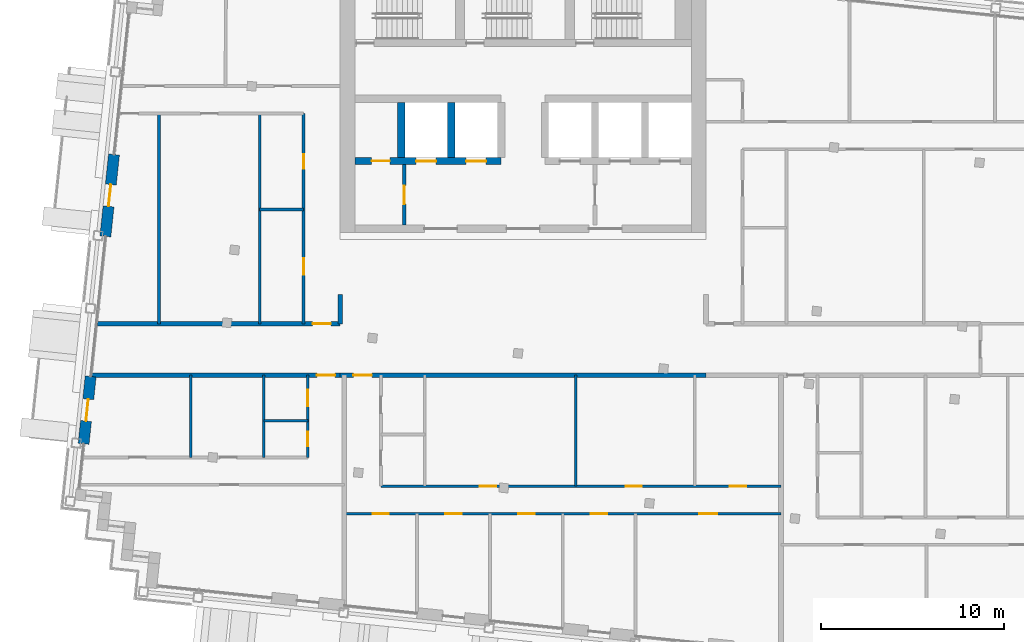
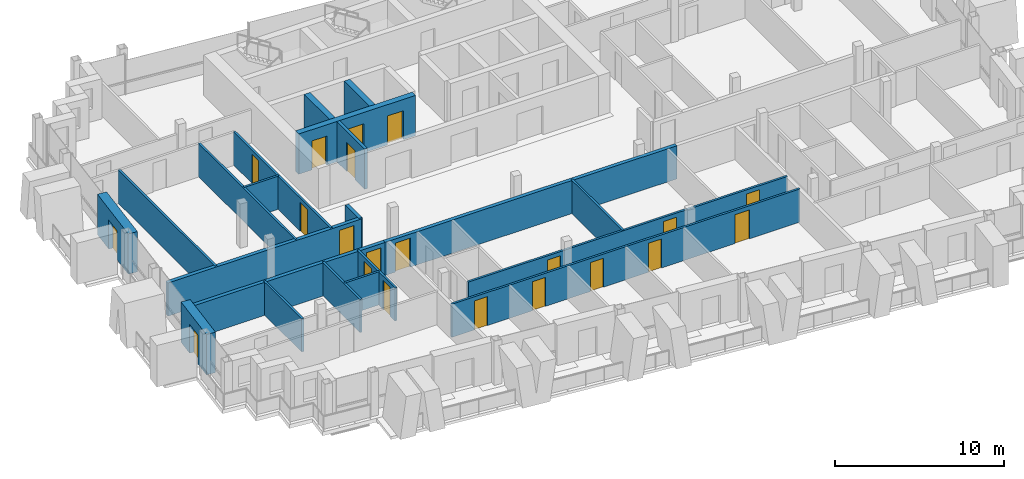
# One storey, part 9 of 16: 21 doors, 21 walls, 21 openings.
"""IFC4 building model written with IfcOpenShell, lengths in metres."""

import ifcopenshell
import ifcopenshell.guid

model = None  # the IFC model being written
_history = None  # IfcOwnerHistory: only IFC2X3 demands one
_inside = {}  # id of a spatial element -> (the spatial element, [elements in it])
_under = {}  # id of a project, library or spatial element -> (it, [spatial elements below it])
_declared = {}  # id of a project -> (the project, [libraries it declares])
_typed = {}  # id of a type object -> (the type object, [elements of that type])
_made_of = {}  # id of a material, layer set ... -> (it, [elements and type objects made of it])


def new_model(schema):
    """Start an empty IFC model of exactly this schema.

    Asked for "IFC4X3", IfcOpenShell would pick the latest addendum, in which some entities
    have other attributes; the version numbers below select the first issue.
    IFC2X3 requires an IfcOwnerHistory on every rooted entity: one is made here for all.
    """
    global model, _history
    if schema == "IFC4X3":
        model = ifcopenshell.file(schema_version=(4, 3, 0, 0))
    else:
        model = ifcopenshell.file(schema=schema)
    _inside.clear()
    _under.clear()
    _declared.clear()
    _typed.clear()
    _made_of.clear()
    _history = None
    if model.schema == "IFC2X3":
        org = make("IfcOrganization", Name="unknown")
        user = make(
            "IfcPersonAndOrganization",
            ThePerson=make("IfcPerson", FamilyName="unknown"),
            TheOrganization=org,
        )
        app = make(
            "IfcApplication",
            ApplicationDeveloper=org,
            Version="unknown",
            ApplicationFullName="unknown",
            ApplicationIdentifier="unknown",
        )
        _history = make(
            "IfcOwnerHistory",
            OwningUser=user,
            OwningApplication=app,
            ChangeAction="ADDED",
            CreationDate=0,
        )
    return model


def make(cls, **values):
    """One entity of the class cls with the attributes given. An attribute that is None is left unset."""
    return model.create_entity(
        cls, **{name: value for name, value in values.items() if value is not None}
    )


def rooted(cls, **values):
    """An entity with a GlobalId (a new one), such as an element, a storey or a relation."""
    return make(cls, GlobalId=ifcopenshell.guid.new(), OwnerHistory=_history, **values)


def si_unit(unit_type, name, prefix=None):
    """IfcSIUnit, for example si_unit("LENGTHUNIT", "METRE", prefix="MILLI")."""
    return make("IfcSIUnit", UnitType=unit_type, Prefix=prefix, Name=name)


def assignment(units):
    """IfcUnitAssignment: the units of a project."""
    return None if units is None else make("IfcUnitAssignment", Units=units)


def point(xyz):
    """IfcCartesianPoint."""
    return None if xyz is None else make("IfcCartesianPoint", Coordinates=xyz)


def direction(xyz):
    """IfcDirection."""
    return None if xyz is None else make("IfcDirection", DirectionRatios=xyz)


def frame(location, z_axis=None, x_axis=None):
    """IfcAxis2Placement3D, a coordinate frame: its origin and axes. An axis left out is left unset."""
    return make(
        "IfcAxis2Placement3D",
        Location=point(location),
        Axis=direction(z_axis),
        RefDirection=direction(x_axis),
    )


def frame_2d(location, x_axis=None):
    """IfcAxis2Placement2D, a coordinate frame in the plane: its origin and x axis."""
    return make(
        "IfcAxis2Placement2D", Location=point(location), RefDirection=direction(x_axis)
    )


def origin():
    """The frame at (0, 0, 0) with its axes left unset."""
    return frame((0.0, 0.0, 0.0))


def place(relative_to, where):
    """IfcLocalPlacement: puts the frame where relative to a parent placement (None: the world)."""
    return make(
        "IfcLocalPlacement", PlacementRelTo=relative_to, RelativePlacement=where
    )


def context(
    kind, dimensions, precision=None, world=None, true_north=None, identifier=None
):
    """IfcGeometricRepresentationContext, for example the 3D "Model" context."""
    return make(
        "IfcGeometricRepresentationContext",
        ContextIdentifier=identifier,
        ContextType=kind,
        CoordinateSpaceDimension=dimensions,
        Precision=precision,
        WorldCoordinateSystem=world,
        TrueNorth=true_north,
    )


def subcontext(parent, identifier, kind, view, scale=None):
    """IfcGeometricRepresentationSubContext, for example "Body" below "Model"."""
    return make(
        "IfcGeometricRepresentationSubContext",
        ContextIdentifier=identifier,
        ContextType=kind,
        ParentContext=parent,
        TargetScale=scale,
        TargetView=view,
    )


def project(units=None, contexts=None):
    """IfcProject with its units and contexts."""
    return rooted(
        "IfcProject",
        Name="project",
        RepresentationContexts=contexts,
        UnitsInContext=assignment(units),
    )


def spatial(cls, under=None, at=None, **own):
    """A site, building, storey or space (cls), placed at a placement, below another one or the project."""
    s = rooted(cls, ObjectPlacement=at, **own)
    if under is not None:
        _under.setdefault(under.id(), (under, []))[1].append(s)
    return s


def profile(cls, at=None, kind="AREA", **sizes):
    """A parametric profile (cls). Its sizes go by their IFC names, for example OverallWidth=200.0."""
    return make(cls, ProfileType=kind, Position=at, **sizes)


def rectangle(**sizes):
    """IfcRectangleProfileDef."""
    return profile("IfcRectangleProfileDef", **sizes)


def extrude(swept, where, along, depth):
    """IfcExtrudedAreaSolid: the profile swept, set in the frame where, extruded along a direction by depth."""
    return make(
        "IfcExtrudedAreaSolid",
        SweptArea=swept,
        Position=where,
        ExtrudedDirection=direction(along),
        Depth=depth,
    )


def shape(context_of_items, identifier, shape_type, items):
    """IfcShapeRepresentation: the items that make up one representation, for example the "Body"."""
    return make(
        "IfcShapeRepresentation",
        ContextOfItems=context_of_items,
        RepresentationIdentifier=identifier,
        RepresentationType=shape_type,
        Items=items,
    )


def material(Name=None, Category=None):
    """IfcMaterial."""
    return make("IfcMaterial", Name=Name, Category=Category)


def layer(
    of_material, thickness, ventilated=None, Name=None, Category=None, Priority=None
):
    """IfcMaterialLayer: one layer of a wall or slab, of a material (None: an air gap)."""
    return make(
        "IfcMaterialLayer",
        Material=of_material,
        LayerThickness=thickness,
        IsVentilated=ventilated,
        Name=Name,
        Category=Category,
        Priority=Priority,
    )


def layer_set(layers, Name=None):
    """IfcMaterialLayerSet."""
    return make("IfcMaterialLayerSet", MaterialLayers=layers, LayerSetName=Name)


def made_of(thing, what):
    """Note that an element or type object is made of a material, layer set ...; save() writes the relation."""
    if what is not None:
        _made_of.setdefault(what.id(), (what, []))[1].append(thing)
    return thing


def type_object(cls, material=None, **own):
    """A type object (cls), such as IfcWallType, which elements share."""
    return made_of(rooted(cls, **own), material)


def element(
    cls,
    number,
    at=None,
    inside=None,
    cuts=None,
    type_object=None,
    material=None,
    context=None,
    identifier="Body",
    shape_type=None,
    held_by="IfcProductDefinitionShape",
    body=None,
    shapes=None,
    **own,
):
    """One element of the class cls, such as IfcWall. Its Tag is "e" and its number.

    at: its placement. inside: the storey or other place that contains it. cuts: it is an
    opening in that element (IfcRelVoidsElement). A single representation is given by context,
    identifier, shape_type and body (its items); several are given by shapes. held_by: the class
    of the entity that holds the representations. save() writes the other relations.
    """
    e = rooted(cls, Tag="e%d" % number, ObjectPlacement=at, **own)
    if body is not None:
        shapes = [shape(context, identifier, shape_type, body)]
    if shapes is not None:
        e.Representation = make(held_by, Representations=shapes)
    if inside is not None:
        _inside.setdefault(inside.id(), (inside, []))[1].append(e)
    if cuts is not None:
        rooted(
            "IfcRelVoidsElement", RelatingBuildingElement=cuts, RelatedOpeningElement=e
        )
    if type_object is not None:
        _typed.setdefault(type_object.id(), (type_object, []))[1].append(e)
    return made_of(e, material)


def fill(opening, filler):
    """IfcRelFillsElement: the door or window that sits in an opening."""
    return rooted(
        "IfcRelFillsElement",
        RelatingOpeningElement=opening,
        RelatedBuildingElement=filler,
    )


def aggregate(whole, parts):
    """IfcRelAggregates: a whole, such as a stair, and the parts it consists of."""
    return rooted("IfcRelAggregates", RelatingObject=whole, RelatedObjects=parts)


def save(model, path):
    """Write the relations noted so far, then the file.

    IfcRelAggregates (storeys below a building ...), IfcRelContainedInSpatialStructure (elements
    in a storey), IfcRelDefinesByType, IfcRelAssociatesMaterial and IfcRelDeclares: one each for
    every whole, place, type object, material and project.
    """
    for whole, parts in _under.values():
        aggregate(whole, parts)
    for where, things in _inside.values():
        rooted(
            "IfcRelContainedInSpatialStructure",
            RelatedElements=things,
            RelatingStructure=where,
        )
    for kind, things in _typed.values():
        rooted("IfcRelDefinesByType", RelatedObjects=things, RelatingType=kind)
    for what, things in _made_of.values():
        rooted("IfcRelAssociatesMaterial", RelatedObjects=things, RelatingMaterial=what)
    for by, libraries in _declared.values():
        rooted("IfcRelDeclares", RelatingContext=by, RelatedDefinitions=libraries)
    model.write(path)


model = new_model("IFC4")

# Units and contexts
model_context = context("Model", 3, precision=1e-05, world=origin(), true_north=direction((0.0, 1.0)))
body_context = subcontext(model_context, "Body", "Model", "MODEL_VIEW")
ifc_project = project(units=[si_unit("LENGTHUNIT", "METRE"), si_unit("AREAUNIT", "SQUARE_METRE"), si_unit("VOLUMEUNIT", "CUBIC_METRE"), si_unit("PLANEANGLEUNIT", "RADIAN"), si_unit("MASSUNIT", "GRAM", prefix="KILO")], contexts=[model_context])

# Site, building, storey
site_placement = place(None, origin())
site = spatial("IfcSite", under=ifc_project, at=site_placement, CompositionType="ELEMENT")
building_placement = place(site_placement, origin())
building = spatial("IfcBuilding", under=site, at=building_placement, Name="Vidyagriha Tower", CompositionType="ELEMENT")
storey_placement = place(building_placement, frame((0.0, 0.0, 256.300048828125)))
storey = spatial("IfcBuildingStorey", under=building, at=storey_placement, Name="L66", CompositionType="ELEMENT", Elevation=256.300048828125)

# Wall, opening, door
ifc_material_1 = material(Name="Precast concrete C40/50 with brick facing", Category="concrete")
ifc_layer_1 = layer(ifc_material_1, 0.60009765625)
ifc_layer_set_1 = layer_set([ifc_layer_1], Name="Precast concrete C40/50 with brick facing")
wall_type_1 = type_object("IfcWallType", Name="Brick-faced precast wall 600", PredefinedType="STANDARD", material=ifc_layer_set_1)
wall_1_placement = place(storey_placement, frame((-22.36279296875, 10.65673828125, 0.0), z_axis=(0.0, 0.0, 1.0), x_axis=(-0.104492739125, -0.994525649478, 0.0)))
wall_1 = element("IfcWall", 1, at=wall_1_placement, inside=storey, type_object=wall_type_1, Name="Brick door bay wall L66 R14.3", PredefinedType="STANDARD", context=body_context, shape_type="SweptSolid", body=[
    extrude(rectangle(XDim=4.5, YDim=0.60009765625, at=frame_2d((2.25, 0.0))), origin(), (0.0, 0.0, 1.0), 2.919921875),
])
opening_1_placement = place(wall_1_placement, frame((1.64990234375, 0.0, 0.0)))
opening_1 = element("IfcOpeningElement", 2, at=opening_1_placement, cuts=wall_1, Name="Opening D66-53", PredefinedType="OPENING", context=body_context, shape_type="SweptSolid", body=[
    extrude(rectangle(XDim=1.199951171875, YDim=2.10009765625, at=frame_2d((0.60009765625, 1.050048828125))), frame((0.0, 0.31005859375, 0.0), z_axis=(0.0, -1.0, 0.0), x_axis=(1.0, 0.0, 0.0)), (0.0, 0.0, 1.0), 0.6201171875),
])
ifc_material_2 = material(Name="Aluminium framed glazed sliding door", Category="aluminium")
door_type_1 = type_object("IfcDoorType", Name="Balcony sliding door 1200x2100", OperationType="NOTDEFINED", PredefinedType="DOOR", material=ifc_material_2)
door_1_placement = place(opening_1_placement, origin())
door_1 = element("IfcDoor", 3, at=door_1_placement, inside=storey, type_object=door_type_1, Name="Door D66-53", OperationType="SLIDING_TO_LEFT", OverallHeight=2.10009765625, OverallWidth=1.199951171875, PredefinedType="DOOR", context=body_context, shape_type="SweptSolid", body=[
    extrude(rectangle(XDim=1.199951171875, YDim=2.10009765625, at=frame_2d((0.60009765625, 1.050048828125))), frame((0.0, 0.02490234375, 0.0), z_axis=(0.0, -1.0, 0.0), x_axis=(1.0, 0.0, 0.0)), (0.0, 0.0, 1.0), 0.050048828125),
])
fill(opening_1, door_1)

wall_2_placement = place(storey_placement, frame((-23.637939453125, -1.476318359375, 0.0), z_axis=(0.0, 0.0, 1.0), x_axis=(-0.104513052986, -0.994523514933, 0.0)))
wall_2 = element("IfcWall", 4, at=wall_2_placement, inside=storey, type_object=wall_type_1, Name="Brick door bay wall L66 R14.6", PredefinedType="STANDARD", context=body_context, shape_type="SweptSolid", body=[
    extrude(rectangle(XDim=3.7001953125, YDim=0.60009765625, at=frame_2d((1.85009765625, 0.0))), origin(), (0.0, 0.0, 1.0), 2.919921875),
])
opening_2_placement = place(wall_2_placement, frame((1.25, 0.0, 0.0)))
opening_2 = element("IfcOpeningElement", 5, at=opening_2_placement, cuts=wall_2, Name="Opening D66-54", PredefinedType="OPENING", context=body_context, shape_type="SweptSolid", body=[
    extrude(rectangle(XDim=1.199951171875, YDim=2.10009765625, at=frame_2d((0.60009765625, 1.050048828125))), frame((0.0, 0.31005859375, 0.0), z_axis=(0.0, -1.0, 0.0), x_axis=(1.0, 0.0, 0.0)), (0.0, 0.0, 1.0), 0.6201171875),
])
door_2_placement = place(opening_2_placement, origin())
door_2 = element("IfcDoor", 6, at=door_2_placement, inside=storey, type_object=door_type_1, Name="Door D66-54", OperationType="SLIDING_TO_LEFT", OverallHeight=2.10009765625, OverallWidth=1.199951171875, PredefinedType="DOOR", context=body_context, shape_type="SweptSolid", body=[
    extrude(rectangle(XDim=1.199951171875, YDim=2.10009765625, at=frame_2d((0.60009765625, 1.050048828125))), frame((0.0, 0.02490234375, 0.0), z_axis=(0.0, -1.0, 0.0), x_axis=(1.0, 0.0, 0.0)), (0.0, 0.0, 1.0), 0.050048828125),
])
fill(opening_2, door_2)

# Wall, openings, doors
ifc_material_3 = material(Name="Concrete C60/75", Category="concrete")
ifc_layer_2 = layer(ifc_material_3, 0.39990234375)
ifc_layer_set_2 = layer_set([ifc_layer_2], Name="Concrete C60/75")
wall_type_2 = type_object("IfcWallType", Name="Core shear wall 400 mm", PredefinedType="SHEAR", material=ifc_layer_set_2)
wall_3_placement = place(storey_placement, frame((-9.199951171875, 10.300048828125, 0.0)))
wall_3 = element("IfcWall", 7, at=wall_3_placement, inside=storey, type_object=wall_type_2, Name="Core row N front wall", PredefinedType="SHEAR", context=body_context, shape_type="SweptSolid", body=[
    extrude(rectangle(XDim=8.0, YDim=0.39990234375, at=frame_2d((4.0, 0.0))), origin(), (0.0, 0.0, 1.0), 2.919921875),
])
opening_3_placement = place(wall_3_placement, frame((3.35009765625, 0.0, 0.0)))
opening_3 = element("IfcOpeningElement", 8, at=opening_3_placement, cuts=wall_3, Name="Opening LD66-01", PredefinedType="OPENING", context=body_context, shape_type="SweptSolid", body=[
    extrude(rectangle(XDim=1.10009765625, YDim=2.10009765625, at=frame_2d((0.550048828125, 1.050048828125))), frame((0.0, 0.2099609375, 0.0), z_axis=(0.0, -1.0, 0.0), x_axis=(1.0, 0.0, 0.0)), (0.0, 0.0, 1.0), 0.419921875),
])
opening_4_placement = place(wall_3_placement, frame((6.083251953125, 0.0, 0.0)))
opening_4 = element("IfcOpeningElement", 9, at=opening_4_placement, cuts=wall_3, Name="Opening LD66-02", PredefinedType="OPENING", context=body_context, shape_type="SweptSolid", body=[
    extrude(rectangle(XDim=1.10009765625, YDim=2.10009765625, at=frame_2d((0.550048828125, 1.050048828125))), frame((0.0, 0.2099609375, 0.0), z_axis=(0.0, -1.0, 0.0), x_axis=(1.0, 0.0, 0.0)), (0.0, 0.0, 1.0), 0.419921875),
])
opening_5_placement = place(wall_3_placement, frame((0.916748046875, 0.0, 0.0)))
opening_5 = element("IfcOpeningElement", 10, at=opening_5_placement, cuts=wall_3, Name="Opening D66-04", PredefinedType="OPENING", context=body_context, shape_type="SweptSolid", body=[
    extrude(rectangle(XDim=1.0, YDim=2.10009765625, at=frame_2d((0.5, 1.050048828125))), frame((0.0, 0.2099609375, 0.0), z_axis=(0.0, -1.0, 0.0), x_axis=(1.0, 0.0, 0.0)), (0.0, 0.0, 1.0), 0.419921875),
])
ifc_material_4 = material(Name="Hollow metal door leaf")
door_type_2 = type_object("IfcDoorType", Name="Core room door 1000 x 2100 mm EI 60", OperationType="NOTDEFINED", PredefinedType="DOOR", material=ifc_material_4)
door_3_placement = place(opening_5_placement, frame((1.0, 0.0, 0.0), z_axis=(0.0, 0.0, 1.0), x_axis=(-1.0, 0.0, 0.0)))
door_3 = element("IfcDoor", 11, at=door_3_placement, inside=storey, type_object=door_type_2, Name="Door Cleaners Store 66.14", OperationType="SINGLE_SWING_RIGHT", OverallHeight=2.10009765625, OverallWidth=1.0, PredefinedType="DOOR", context=body_context, shape_type="SweptSolid", body=[
    extrude(rectangle(XDim=1.0, YDim=2.10009765625, at=frame_2d((0.5, 1.050048828125))), frame((0.0, 0.02490234375, 0.0), z_axis=(0.0, -1.0, 0.0), x_axis=(1.0, 0.0, 0.0)), (0.0, 0.0, 1.0), 0.050048828125),
])
fill(opening_5, door_3)
ifc_material_5 = material(Name="Stainless steel sliding door panel", Category="steel")
door_type_3 = type_object("IfcDoorType", Name="Lift landing door 1100 x 2100 mm EI 90", OperationType="NOTDEFINED", PredefinedType="DOOR", material=ifc_material_5)
door_4_placement = place(opening_3_placement, origin())
door_4 = element("IfcDoor", 12, at=door_4_placement, inside=storey, type_object=door_type_3, Name="Landing door HR1 L66", OperationType="SLIDING_TO_LEFT", OverallHeight=2.10009765625, OverallWidth=1.10009765625, PredefinedType="DOOR", context=body_context, shape_type="SweptSolid", body=[
    extrude(rectangle(XDim=1.10009765625, YDim=2.10009765625, at=frame_2d((0.550048828125, 1.050048828125))), frame((0.0, 0.02490234375, 0.0), z_axis=(0.0, -1.0, 0.0), x_axis=(1.0, 0.0, 0.0)), (0.0, 0.0, 1.0), 0.050048828125),
])
fill(opening_3, door_4)
door_5_placement = place(opening_4_placement, origin())
door_5 = element("IfcDoor", 13, at=door_5_placement, inside=storey, type_object=door_type_3, Name="Landing door HR2 L66", OperationType="SLIDING_TO_LEFT", OverallHeight=2.10009765625, OverallWidth=1.10009765625, PredefinedType="DOOR", context=body_context, shape_type="SweptSolid", body=[
    extrude(rectangle(XDim=1.10009765625, YDim=2.10009765625, at=frame_2d((0.550048828125, 1.050048828125))), frame((0.0, 0.02490234375, 0.0), z_axis=(0.0, -1.0, 0.0), x_axis=(1.0, 0.0, 0.0)), (0.0, 0.0, 1.0), 0.050048828125),
])
fill(opening_4, door_5)

# Walls
for number, where, z_axis, x_axis, name in (
    (14, (-6.666748046875, 10.5, 0.0), (0.0, 0.0, 1.0), (0.0, 1.0, 0.0), "Core bay wall N1"),
    (15, (-3.933349609375, 10.5, 0.0), (0.0, 0.0, 1.0), (0.0, 1.0, 0.0), "Core bay wall N2"),
):
    element("IfcWall", number, at=place(storey_placement, frame(where, z_axis=z_axis, x_axis=x_axis)), inside=storey, type_object=wall_type_2, Name=name, PredefinedType="SHEAR", context=body_context, shape_type="SweptSolid", body=[
        extrude(rectangle(XDim=3.0, YDim=0.39990234375, at=frame_2d((1.5, 0.0))), origin(), (0.0, 0.0, 1.0), 2.919921875),
    ])

# Wall, opening, door
ifc_material_6 = material(Name="Fired clay brick masonry", Category="masonry")
ifc_layer_3 = layer(ifc_material_6, 0.25)
ifc_layer_set_3 = layer_set([ifc_layer_3], Name="Fired clay brick masonry")
wall_type_3 = type_object("IfcWallType", Name="Fired clay brick corridor wall 250", PredefinedType="PARTITIONING", material=ifc_layer_set_3)
wall_4_placement = place(storey_placement, frame((-10.0, -1.39990234375, 0.0), z_axis=(0.0, 0.0, 1.0), x_axis=(-1.0, 0.0, 0.0)))
wall_4 = element("IfcWall", 16, at=wall_4_placement, inside=storey, type_object=wall_type_3, Name="Wall all-L66-w053", PredefinedType="PARTITIONING", context=body_context, shape_type="SweptSolid", body=[
    extrude(rectangle(XDim=13.5595703125, YDim=0.25, at=frame_2d((6.77978515625, 0.0))), origin(), (0.0, 0.0, 1.0), 2.39990234375),
])
opening_6_placement = place(wall_4_placement, frame((0.27001953125, 0.0, 0.0)))
opening_6 = element("IfcOpeningElement", 17, at=opening_6_placement, cuts=wall_4, Name="Opening D66-15", PredefinedType="OPENING", context=body_context, shape_type="SweptSolid", body=[
    extrude(rectangle(XDim=1.0, YDim=2.10009765625, at=frame_2d((0.5, 1.050048828125))), frame((0.0, 0.135009765625, 0.0), z_axis=(0.0, -1.0, 0.0), x_axis=(1.0, 0.0, 0.0)), (0.0, 0.0, 1.0), 0.27001953125),
])
ifc_material_7 = material(Name="Fire-rated timber door leaf EI 60", Category="wood")
door_type_4 = type_object("IfcDoorType", Name="Flat entrance fire door 1000x2100", OperationType="NOTDEFINED", PredefinedType="DOOR", material=ifc_material_7)
door_6_placement = place(opening_6_placement, origin())
door_6 = element("IfcDoor", 18, at=door_6_placement, inside=storey, type_object=door_type_4, Name="Door D66-15", OperationType="SINGLE_SWING_LEFT", OverallHeight=2.10009765625, OverallWidth=1.0, PredefinedType="DOOR", context=body_context, shape_type="SweptSolid", body=[
    extrude(rectangle(XDim=1.0, YDim=2.10009765625, at=frame_2d((0.5, 1.050048828125))), frame((0.0, 0.02490234375, 0.0), z_axis=(0.0, -1.0, 0.0), x_axis=(1.0, 0.0, 0.0)), (0.0, 0.0, 1.0), 0.050048828125),
])
fill(opening_6, door_6)

wall_5_placement = place(storey_placement, frame((-23.26513671875, 1.39990234375, 0.0)))
wall_5 = element("IfcWall", 19, at=wall_5_placement, inside=storey, type_object=wall_type_3, Name="Wall all-L66-w070", PredefinedType="PARTITIONING", context=body_context, shape_type="SweptSolid", body=[
    extrude(rectangle(XDim=13.26513671875, YDim=0.25, at=frame_2d((6.632568359375, 0.0))), origin(), (0.0, 0.0, 1.0), 2.39990234375),
])
opening_7_placement = place(wall_5_placement, frame((11.76513671875, 0.0, 0.0)))
opening_7 = element("IfcOpeningElement", 20, at=opening_7_placement, cuts=wall_5, Name="Opening D66-41", PredefinedType="OPENING", context=body_context, shape_type="SweptSolid", body=[
    extrude(rectangle(XDim=1.0, YDim=2.10009765625, at=frame_2d((0.5, 1.050048828125))), frame((0.0, 0.135009765625, 0.0), z_axis=(0.0, -1.0, 0.0), x_axis=(1.0, 0.0, 0.0)), (0.0, 0.0, 1.0), 0.27001953125),
])
door_7_placement = place(opening_7_placement, origin())
door_7 = element("IfcDoor", 21, at=door_7_placement, inside=storey, type_object=door_type_4, Name="Door D66-41", OperationType="SINGLE_SWING_RIGHT", OverallHeight=2.10009765625, OverallWidth=1.0, PredefinedType="DOOR", context=body_context, shape_type="SweptSolid", body=[
    extrude(rectangle(XDim=1.0, YDim=2.10009765625, at=frame_2d((0.5, 1.050048828125))), frame((0.0, 0.02490234375, 0.0), z_axis=(0.0, -1.0, 0.0), x_axis=(1.0, 0.0, 0.0)), (0.0, 0.0, 1.0), 0.050048828125),
])
fill(opening_7, door_7)

wall_6_placement = place(storey_placement, frame((10.0, -1.39990234375, 0.0), z_axis=(0.0, 0.0, 1.0), x_axis=(-1.0, 0.0, 0.0)))
wall_6 = element("IfcWall", 22, at=wall_6_placement, inside=storey, type_object=wall_type_3, Name="Wall all-L66-w096", PredefinedType="PARTITIONING", context=body_context, shape_type="SweptSolid", body=[
    extrude(rectangle(XDim=20.0, YDim=0.25, at=frame_2d((10.0, 0.0))), origin(), (0.0, 0.0, 1.0), 2.39990234375),
])
opening_8_placement = place(wall_6_placement, frame((18.27001953125, 0.0, 0.0)))
opening_8 = element("IfcOpeningElement", 23, at=opening_8_placement, cuts=wall_6, Name="Opening D66-26", PredefinedType="OPENING", context=body_context, shape_type="SweptSolid", body=[
    extrude(rectangle(XDim=1.0, YDim=2.10009765625, at=frame_2d((0.5, 1.050048828125))), frame((0.0, 0.135009765625, 0.0), z_axis=(0.0, -1.0, 0.0), x_axis=(1.0, 0.0, 0.0)), (0.0, 0.0, 1.0), 0.27001953125),
])
door_8_placement = place(opening_8_placement, origin())
door_8 = element("IfcDoor", 24, at=door_8_placement, inside=storey, type_object=door_type_4, Name="Door D66-26", OperationType="SINGLE_SWING_RIGHT", OverallHeight=2.10009765625, OverallWidth=1.0, PredefinedType="DOOR", context=body_context, shape_type="SweptSolid", body=[
    extrude(rectangle(XDim=1.0, YDim=2.10009765625, at=frame_2d((0.5, 1.050048828125))), frame((0.0, 0.02490234375, 0.0), z_axis=(0.0, -1.0, 0.0), x_axis=(1.0, 0.0, 0.0)), (0.0, 0.0, 1.0), 0.050048828125),
])
fill(opening_8, door_8)

# Walls
wall_7_placement = place(storey_placement, frame((-10.0, 3.0, 0.0), z_axis=(0.0, 0.0, 1.0), x_axis=(0.0, -1.0, 0.0)))
element("IfcWall", 25, at=wall_7_placement, inside=storey, type_object=wall_type_3, Name="Wall all-L66-w097", PredefinedType="PARTITIONING", context=body_context, shape_type="SweptSolid", body=[
    extrude(rectangle(XDim=1.60009765625, YDim=0.25, at=frame_2d((0.800048828125, 0.0))), origin(), (0.0, 0.0, 1.0), 2.39990234375),
])
ifc_material_8 = material(Name="Gypsum board partition")
ifc_layer_4 = layer(ifc_material_8, 0.14990234375)
ifc_layer_set_4 = layer_set([ifc_layer_4], Name="Gypsum board partition")
wall_type_4 = type_object("IfcWallType", Name="Gypsum board partition 150", PredefinedType="PARTITIONING", material=ifc_layer_set_4)
wall_8_placement = place(storey_placement, frame((-11.77001953125, -3.89990234375, 0.0), z_axis=(0.0, 0.0, 1.0), x_axis=(-1.0, 0.0, 0.0)))
element("IfcWall", 26, at=wall_8_placement, inside=storey, type_object=wall_type_4, Name="Wall all-L66-w004", PredefinedType="PARTITIONING", context=body_context, shape_type="SweptSolid", body=[
    extrude(rectangle(XDim=2.39990234375, YDim=0.14990234375, at=frame_2d((1.199951171875, 0.0))), origin(), (0.0, 0.0, 1.0), 2.39990234375),
])
for number, where, z_axis, x_axis, name in (
    (27, (-14.169921875, -5.89990234375, 0.0), (0.0, 0.0, 1.0), (0.0, 1.0, 0.0), "Wall all-L66-w005"),
    (28, (-18.169921875, -5.89990234375, 0.0), (0.0, 0.0, 1.0), (0.0, 1.0, 0.0), "Wall all-L66-w006"),
):
    element("IfcWall", number, at=place(storey_placement, frame(where, z_axis=z_axis, x_axis=x_axis)), inside=storey, type_object=wall_type_4, Name=name, PredefinedType="PARTITIONING", context=body_context, shape_type="SweptSolid", body=[
        extrude(rectangle(XDim=4.5, YDim=0.14990234375, at=frame_2d((2.25, 0.0))), origin(), (0.0, 0.0, 1.0), 2.39990234375),
    ])
wall_9_placement = place(storey_placement, frame((2.8798828125, -1.39990234375, 0.0), z_axis=(0.0, 0.0, 1.0), x_axis=(0.0, -1.0, 0.0)))
element("IfcWall", 29, at=wall_9_placement, inside=storey, type_object=wall_type_4, Name="Wall all-L66-w018", PredefinedType="PARTITIONING", context=body_context, shape_type="SweptSolid", body=[
    extrude(rectangle(XDim=6.07470703125, YDim=0.14990234375, at=frame_2d((3.037353515625, 0.0))), origin(), (0.0, 0.0, 1.0), 2.39990234375),
])

# Wall, openings, doors
wall_10_placement = place(storey_placement, frame((-7.77001953125, -7.474609375, 0.0)))
wall_10 = element("IfcWall", 30, at=wall_10_placement, inside=storey, type_object=wall_type_4, Name="Wall all-L66-w020", PredefinedType="PARTITIONING", context=body_context, shape_type="SweptSolid", body=[
    extrude(rectangle(XDim=21.867919921875, YDim=0.14990234375, at=frame_2d((10.93408203125, 0.0))), origin(), (0.0, 0.0, 1.0), 2.39990234375),
])
opening_9_placement = place(wall_10_placement, frame((5.413818359375, 0.0, 0.0)))
opening_9 = element("IfcOpeningElement", 31, at=opening_9_placement, cuts=wall_10, Name="Opening D66-18", PredefinedType="OPENING", context=body_context, shape_type="SweptSolid", body=[
    extrude(rectangle(XDim=0.89990234375, YDim=2.10009765625, at=frame_2d((0.449951171875, 1.050048828125))), frame((0.0, 0.0849609375, 0.0), z_axis=(0.0, -1.0, 0.0), x_axis=(1.0, 0.0, 0.0)), (0.0, 0.0, 1.0), 0.169921875),
])
opening_10_placement = place(wall_10_placement, frame((13.3701171875, 0.0, 0.0)))
opening_10 = element("IfcOpeningElement", 32, at=opening_10_placement, cuts=wall_10, Name="Opening D66-19", PredefinedType="OPENING", context=body_context, shape_type="SweptSolid", body=[
    extrude(rectangle(XDim=0.89990234375, YDim=2.10009765625, at=frame_2d((0.449951171875, 1.050048828125))), frame((0.0, 0.0849609375, 0.0), z_axis=(0.0, -1.0, 0.0), x_axis=(1.0, 0.0, 0.0)), (0.0, 0.0, 1.0), 0.169921875),
])
opening_11_placement = place(wall_10_placement, frame((19.05908203125, 0.0, 0.0)))
opening_11 = element("IfcOpeningElement", 33, at=opening_11_placement, cuts=wall_10, Name="Opening D66-20", PredefinedType="OPENING", context=body_context, shape_type="SweptSolid", body=[
    extrude(rectangle(XDim=0.89990234375, YDim=2.10009765625, at=frame_2d((0.449951171875, 1.050048828125))), frame((0.0, 0.0849609375, 0.0), z_axis=(0.0, -1.0, 0.0), x_axis=(1.0, 0.0, 0.0)), (0.0, 0.0, 1.0), 0.169921875),
])
ifc_material_9 = material(Name="Timber door leaf", Category="wood")
door_type_5 = type_object("IfcDoorType", Name="Room door 900x2100", OperationType="NOTDEFINED", PredefinedType="DOOR", material=ifc_material_9)
door_9_placement = place(opening_9_placement, origin())
door_9 = element("IfcDoor", 34, at=door_9_placement, inside=storey, type_object=door_type_5, Name="Door D66-18", OperationType="SINGLE_SWING_LEFT", OverallHeight=2.10009765625, OverallWidth=0.89990234375, PredefinedType="DOOR", context=body_context, shape_type="SweptSolid", body=[
    extrude(rectangle(XDim=0.89990234375, YDim=2.10009765625, at=frame_2d((0.449951171875, 1.050048828125))), frame((0.0, 0.02490234375, 0.0), z_axis=(0.0, -1.0, 0.0), x_axis=(1.0, 0.0, 0.0)), (0.0, 0.0, 1.0), 0.050048828125),
])
fill(opening_9, door_9)
door_10_placement = place(opening_10_placement, origin())
door_10 = element("IfcDoor", 35, at=door_10_placement, inside=storey, type_object=door_type_5, Name="Door D66-19", OperationType="SINGLE_SWING_LEFT", OverallHeight=2.10009765625, OverallWidth=0.89990234375, PredefinedType="DOOR", context=body_context, shape_type="SweptSolid", body=[
    extrude(rectangle(XDim=0.89990234375, YDim=2.10009765625, at=frame_2d((0.449951171875, 1.050048828125))), frame((0.0, 0.02490234375, 0.0), z_axis=(0.0, -1.0, 0.0), x_axis=(1.0, 0.0, 0.0)), (0.0, 0.0, 1.0), 0.050048828125),
])
fill(opening_10, door_10)
door_11_placement = place(opening_11_placement, origin())
door_11 = element("IfcDoor", 36, at=door_11_placement, inside=storey, type_object=door_type_5, Name="Door D66-20", OperationType="SINGLE_SWING_RIGHT", OverallHeight=2.10009765625, OverallWidth=0.89990234375, PredefinedType="DOOR", context=body_context, shape_type="SweptSolid", body=[
    extrude(rectangle(XDim=0.89990234375, YDim=2.10009765625, at=frame_2d((0.449951171875, 1.050048828125))), frame((0.0, 0.02490234375, 0.0), z_axis=(0.0, -1.0, 0.0), x_axis=(1.0, 0.0, 0.0)), (0.0, 0.0, 1.0), 0.050048828125),
])
fill(opening_11, door_11)

wall_11_placement = place(storey_placement, frame((14.097900390625, -8.974609375, 0.0), z_axis=(0.0, 0.0, 1.0), x_axis=(-1.0, 0.0, 0.0)))
wall_11 = element("IfcWall", 37, at=wall_11_placement, inside=storey, type_object=wall_type_4, Name="Wall all-L66-w024", PredefinedType="PARTITIONING", context=body_context, shape_type="SweptSolid", body=[
    extrude(rectangle(XDim=23.867919921875, YDim=0.14990234375, at=frame_2d((11.93408203125, 0.0))), origin(), (0.0, 0.0, 1.0), 2.39990234375),
])
opening_12_placement = place(wall_11_placement, frame((21.42919921875, 0.0, 0.0)))
opening_12 = element("IfcOpeningElement", 38, at=opening_12_placement, cuts=wall_11, Name="Opening D66-21", PredefinedType="OPENING", context=body_context, shape_type="SweptSolid", body=[
    extrude(rectangle(XDim=0.89990234375, YDim=2.10009765625, at=frame_2d((0.449951171875, 1.050048828125))), frame((0.0, 0.0849609375, 0.0), z_axis=(0.0, -1.0, 0.0), x_axis=(1.0, 0.0, 0.0)), (0.0, 0.0, 1.0), 0.169921875),
])
opening_13_placement = place(wall_11_placement, frame((17.451416015625, 0.0, 0.0)))
opening_13 = element("IfcOpeningElement", 39, at=opening_13_placement, cuts=wall_11, Name="Opening D66-22", PredefinedType="OPENING", context=body_context, shape_type="SweptSolid", body=[
    extrude(rectangle(XDim=0.89990234375, YDim=2.10009765625, at=frame_2d((0.449951171875, 1.050048828125))), frame((0.0, 0.0849609375, 0.0), z_axis=(0.0, -1.0, 0.0), x_axis=(1.0, 0.0, 0.0)), (0.0, 0.0, 1.0), 0.169921875),
])
opening_14_placement = place(wall_11_placement, frame((13.47314453125, 0.0, 0.0)))
opening_14 = element("IfcOpeningElement", 40, at=opening_14_placement, cuts=wall_11, Name="Opening D66-23", PredefinedType="OPENING", context=body_context, shape_type="SweptSolid", body=[
    extrude(rectangle(XDim=0.89990234375, YDim=2.10009765625, at=frame_2d((0.449951171875, 1.050048828125))), frame((0.0, 0.0849609375, 0.0), z_axis=(0.0, -1.0, 0.0), x_axis=(1.0, 0.0, 0.0)), (0.0, 0.0, 1.0), 0.169921875),
])
opening_15_placement = place(wall_11_placement, frame((9.4951171875, 0.0, 0.0)))
opening_15 = element("IfcOpeningElement", 41, at=opening_15_placement, cuts=wall_11, Name="Opening D66-24", PredefinedType="OPENING", context=body_context, shape_type="SweptSolid", body=[
    extrude(rectangle(XDim=0.89990234375, YDim=2.10009765625, at=frame_2d((0.449951171875, 1.050048828125))), frame((0.0, 0.0849609375, 0.0), z_axis=(0.0, -1.0, 0.0), x_axis=(1.0, 0.0, 0.0)), (0.0, 0.0, 1.0), 0.169921875),
])
opening_16_placement = place(wall_11_placement, frame((3.47802734375, 0.0, 0.0)))
opening_16 = element("IfcOpeningElement", 42, at=opening_16_placement, cuts=wall_11, Name="Opening D66-25", PredefinedType="OPENING", context=body_context, shape_type="SweptSolid", body=[
    extrude(rectangle(XDim=1.0, YDim=2.10009765625, at=frame_2d((0.5, 1.050048828125))), frame((0.0, 0.0849609375, 0.0), z_axis=(0.0, -1.0, 0.0), x_axis=(1.0, 0.0, 0.0)), (0.0, 0.0, 1.0), 0.169921875),
])
ifc_material_10 = material(Name="Timber door leaf", Category="wood")
door_type_6 = type_object("IfcDoorType", Name="Room door 1000x2100", OperationType="NOTDEFINED", PredefinedType="DOOR", material=ifc_material_10)
door_12_placement = place(opening_16_placement, origin())
door_12 = element("IfcDoor", 43, at=door_12_placement, inside=storey, type_object=door_type_6, Name="Door D66-25", OperationType="SINGLE_SWING_LEFT", OverallHeight=2.10009765625, OverallWidth=1.0, PredefinedType="DOOR", context=body_context, shape_type="SweptSolid", body=[
    extrude(rectangle(XDim=1.0, YDim=2.10009765625, at=frame_2d((0.5, 1.050048828125))), frame((0.0, 0.02490234375, 0.0), z_axis=(0.0, -1.0, 0.0), x_axis=(1.0, 0.0, 0.0)), (0.0, 0.0, 1.0), 0.050048828125),
])
fill(opening_16, door_12)
door_13_placement = place(opening_12_placement, origin())
door_13 = element("IfcDoor", 44, at=door_13_placement, inside=storey, type_object=door_type_5, Name="Door D66-21", OperationType="SINGLE_SWING_RIGHT", OverallHeight=2.10009765625, OverallWidth=0.89990234375, PredefinedType="DOOR", context=body_context, shape_type="SweptSolid", body=[
    extrude(rectangle(XDim=0.89990234375, YDim=2.10009765625, at=frame_2d((0.449951171875, 1.050048828125))), frame((0.0, 0.02490234375, 0.0), z_axis=(0.0, -1.0, 0.0), x_axis=(1.0, 0.0, 0.0)), (0.0, 0.0, 1.0), 0.050048828125),
])
fill(opening_12, door_13)
door_14_placement = place(opening_13_placement, origin())
door_14 = element("IfcDoor", 45, at=door_14_placement, inside=storey, type_object=door_type_5, Name="Door D66-22", OperationType="SINGLE_SWING_RIGHT", OverallHeight=2.10009765625, OverallWidth=0.89990234375, PredefinedType="DOOR", context=body_context, shape_type="SweptSolid", body=[
    extrude(rectangle(XDim=0.89990234375, YDim=2.10009765625, at=frame_2d((0.449951171875, 1.050048828125))), frame((0.0, 0.02490234375, 0.0), z_axis=(0.0, -1.0, 0.0), x_axis=(1.0, 0.0, 0.0)), (0.0, 0.0, 1.0), 0.050048828125),
])
fill(opening_13, door_14)
door_15_placement = place(opening_14_placement, origin())
door_15 = element("IfcDoor", 46, at=door_15_placement, inside=storey, type_object=door_type_5, Name="Door D66-23", OperationType="SINGLE_SWING_RIGHT", OverallHeight=2.10009765625, OverallWidth=0.89990234375, PredefinedType="DOOR", context=body_context, shape_type="SweptSolid", body=[
    extrude(rectangle(XDim=0.89990234375, YDim=2.10009765625, at=frame_2d((0.449951171875, 1.050048828125))), frame((0.0, 0.02490234375, 0.0), z_axis=(0.0, -1.0, 0.0), x_axis=(1.0, 0.0, 0.0)), (0.0, 0.0, 1.0), 0.050048828125),
])
fill(opening_14, door_15)
door_16_placement = place(opening_15_placement, origin())
door_16 = element("IfcDoor", 47, at=door_16_placement, inside=storey, type_object=door_type_5, Name="Door D66-24", OperationType="SINGLE_SWING_LEFT", OverallHeight=2.10009765625, OverallWidth=0.89990234375, PredefinedType="DOOR", context=body_context, shape_type="SweptSolid", body=[
    extrude(rectangle(XDim=0.89990234375, YDim=2.10009765625, at=frame_2d((0.449951171875, 1.050048828125))), frame((0.0, 0.02490234375, 0.0), z_axis=(0.0, -1.0, 0.0), x_axis=(1.0, 0.0, 0.0)), (0.0, 0.0, 1.0), 0.050048828125),
])
fill(opening_15, door_16)

# Walls
wall_12_placement = place(storey_placement, frame((-14.39990234375, 7.64990234375, 0.0)))
element("IfcWall", 48, at=wall_12_placement, inside=storey, type_object=wall_type_4, Name="Wall all-L66-w059", PredefinedType="PARTITIONING", context=body_context, shape_type="SweptSolid", body=[
    extrude(rectangle(XDim=2.39990234375, YDim=0.14990234375, at=frame_2d((1.199951171875, 0.0))), origin(), (0.0, 0.0, 1.0), 2.39990234375),
])
for number, where, z_axis, x_axis, name in (
    (49, (-14.39990234375, 1.39990234375, 0.0), (0.0, 0.0, 1.0), (0.0, 1.0, 0.0), "Wall all-L66-w060"),
    (50, (-19.89990234375, 1.39990234375, 0.0), (0.0, 0.0, 1.0), (0.0, 1.0, 0.0), "Wall all-L66-w061"),
):
    element("IfcWall", number, at=place(storey_placement, frame(where, z_axis=z_axis, x_axis=x_axis)), inside=storey, type_object=wall_type_4, Name=name, PredefinedType="PARTITIONING", context=body_context, shape_type="SweptSolid", body=[
        extrude(rectangle(XDim=11.5, YDim=0.14990234375, at=frame_2d((5.75, 0.0))), origin(), (0.0, 0.0, 1.0), 2.39990234375),
    ])

# Wall, openings, doors
ifc_material_11 = material(Name="Moisture resistant gypsum board partition")
ifc_layer_5 = layer(ifc_material_11, 0.14990234375)
ifc_layer_set_5 = layer_set([ifc_layer_5], Name="Moisture resistant gypsum board partition")
wall_type_5 = type_object("IfcWallType", Name="Gypsum board wet-area partition 150", PredefinedType="PARTITIONING", material=ifc_layer_set_5)
wall_13_placement = place(storey_placement, frame((-11.77001953125, -5.89990234375, 0.0), z_axis=(0.0, 0.0, 1.0), x_axis=(0.0, 1.0, 0.0)))
wall_13 = element("IfcWall", 51, at=wall_13_placement, inside=storey, type_object=wall_type_5, Name="Wall all-L66-w001", PredefinedType="PARTITIONING", context=body_context, shape_type="SweptSolid", body=[
    extrude(rectangle(XDim=4.5, YDim=0.14990234375, at=frame_2d((2.25, 0.0))), origin(), (0.0, 0.0, 1.0), 2.39990234375),
])
opening_17_placement = place(wall_13_placement, frame((2.800048828125, 0.0, 0.0)))
opening_17 = element("IfcOpeningElement", 52, at=opening_17_placement, cuts=wall_13, Name="Opening D66-10", PredefinedType="OPENING", context=body_context, shape_type="SweptSolid", body=[
    extrude(rectangle(XDim=0.89990234375, YDim=2.10009765625, at=frame_2d((0.449951171875, 1.050048828125))), frame((0.0, 0.0849609375, 0.0), z_axis=(0.0, -1.0, 0.0), x_axis=(1.0, 0.0, 0.0)), (0.0, 0.0, 1.0), 0.169921875),
])
opening_18_placement = place(wall_13_placement, frame((0.60009765625, 0.0, 0.0)))
opening_18 = element("IfcOpeningElement", 53, at=opening_18_placement, cuts=wall_13, Name="Opening D66-11", PredefinedType="OPENING", context=body_context, shape_type="SweptSolid", body=[
    extrude(rectangle(XDim=0.800048828125, YDim=2.10009765625, at=frame_2d((0.39990234375, 1.050048828125))), frame((0.0, 0.0849609375, 0.0), z_axis=(0.0, -1.0, 0.0), x_axis=(1.0, 0.0, 0.0)), (0.0, 0.0, 1.0), 0.169921875),
])
ifc_material_12 = material(Name="Timber door leaf", Category="wood")
door_type_7 = type_object("IfcDoorType", Name="Bathroom door 800x2100", OperationType="NOTDEFINED", PredefinedType="DOOR", material=ifc_material_12)
door_17_placement = place(opening_18_placement, origin())
door_17 = element("IfcDoor", 54, at=door_17_placement, inside=storey, type_object=door_type_7, Name="Door D66-11", OperationType="SINGLE_SWING_LEFT", OverallHeight=2.10009765625, OverallWidth=0.800048828125, PredefinedType="DOOR", context=body_context, shape_type="SweptSolid", body=[
    extrude(rectangle(XDim=0.800048828125, YDim=2.10009765625, at=frame_2d((0.39990234375, 1.050048828125))), frame((0.0, 0.02490234375, 0.0), z_axis=(0.0, -1.0, 0.0), x_axis=(1.0, 0.0, 0.0)), (0.0, 0.0, 1.0), 0.050048828125),
])
fill(opening_18, door_17)
ifc_material_13 = material(Name="Timber door leaf", Category="wood")
door_type_8 = type_object("IfcDoorType", Name="Kitchen door 900x2100", OperationType="NOTDEFINED", PredefinedType="DOOR", material=ifc_material_13)
door_18_placement = place(opening_17_placement, origin())
door_18 = element("IfcDoor", 55, at=door_18_placement, inside=storey, type_object=door_type_8, Name="Door D66-10", OperationType="SINGLE_SWING_RIGHT", OverallHeight=2.10009765625, OverallWidth=0.89990234375, PredefinedType="DOOR", context=body_context, shape_type="SweptSolid", body=[
    extrude(rectangle(XDim=0.89990234375, YDim=2.10009765625, at=frame_2d((0.449951171875, 1.050048828125))), frame((0.0, 0.02490234375, 0.0), z_axis=(0.0, -1.0, 0.0), x_axis=(1.0, 0.0, 0.0)), (0.0, 0.0, 1.0), 0.050048828125),
])
fill(opening_17, door_18)

wall_14_placement = place(storey_placement, frame((-12.0, 1.39990234375, 0.0), z_axis=(0.0, 0.0, 1.0), x_axis=(0.0, 1.0, 0.0)))
wall_14 = element("IfcWall", 56, at=wall_14_placement, inside=storey, type_object=wall_type_5, Name="Wall all-L66-w056", PredefinedType="PARTITIONING", context=body_context, shape_type="SweptSolid", body=[
    extrude(rectangle(XDim=11.5, YDim=0.14990234375, at=frame_2d((5.75, 0.0))), origin(), (0.0, 0.0, 1.0), 2.39990234375),
])
opening_19_placement = place(wall_14_placement, frame((2.675048828125, 0.0, 0.0)))
opening_19 = element("IfcOpeningElement", 57, at=opening_19_placement, cuts=wall_14, Name="Opening D66-35", PredefinedType="OPENING", context=body_context, shape_type="SweptSolid", body=[
    extrude(rectangle(XDim=0.89990234375, YDim=2.10009765625, at=frame_2d((0.449951171875, 1.050048828125))), frame((0.0, 0.0849609375, 0.0), z_axis=(0.0, -1.0, 0.0), x_axis=(1.0, 0.0, 0.0)), (0.0, 0.0, 1.0), 0.169921875),
])
opening_20_placement = place(wall_14_placement, frame((8.47509765625, 0.0, 0.0)))
opening_20 = element("IfcOpeningElement", 58, at=opening_20_placement, cuts=wall_14, Name="Opening D66-36", PredefinedType="OPENING", context=body_context, shape_type="SweptSolid", body=[
    extrude(rectangle(XDim=0.800048828125, YDim=2.10009765625, at=frame_2d((0.39990234375, 1.050048828125))), frame((0.0, 0.0849609375, 0.0), z_axis=(0.0, -1.0, 0.0), x_axis=(1.0, 0.0, 0.0)), (0.0, 0.0, 1.0), 0.169921875),
])
door_19_placement = place(opening_20_placement, origin())
door_19 = element("IfcDoor", 59, at=door_19_placement, inside=storey, type_object=door_type_7, Name="Door D66-36", OperationType="SINGLE_SWING_RIGHT", OverallHeight=2.10009765625, OverallWidth=0.800048828125, PredefinedType="DOOR", context=body_context, shape_type="SweptSolid", body=[
    extrude(rectangle(XDim=0.800048828125, YDim=2.10009765625, at=frame_2d((0.39990234375, 1.050048828125))), frame((0.0, 0.02490234375, 0.0), z_axis=(0.0, -1.0, 0.0), x_axis=(1.0, 0.0, 0.0)), (0.0, 0.0, 1.0), 0.050048828125),
])
fill(opening_20, door_19)
door_20_placement = place(opening_19_placement, origin())
door_20 = element("IfcDoor", 60, at=door_20_placement, inside=storey, type_object=door_type_8, Name="Door D66-35", OperationType="SINGLE_SWING_RIGHT", OverallHeight=2.10009765625, OverallWidth=0.89990234375, PredefinedType="DOOR", context=body_context, shape_type="SweptSolid", body=[
    extrude(rectangle(XDim=0.89990234375, YDim=2.10009765625, at=frame_2d((0.449951171875, 1.050048828125))), frame((0.0, 0.02490234375, 0.0), z_axis=(0.0, -1.0, 0.0), x_axis=(1.0, 0.0, 0.0)), (0.0, 0.0, 1.0), 0.050048828125),
])
fill(opening_19, door_20)

# Wall, opening, door
ifc_material_14 = material(Name="Blockwork 15 MPa", Category="masonry")
ifc_layer_6 = layer(ifc_material_14, 0.199951171875)
ifc_layer_set_6 = layer_set([ifc_layer_6], Name="Blockwork 15 MPa")
wall_type_6 = type_object("IfcWallType", Name="Service room partition 200 mm", PredefinedType="PARTITIONING", material=ifc_layer_set_6)
wall_15_placement = place(storey_placement, frame((-6.5, 6.800048828125, 0.0), z_axis=(0.0, 0.0, 1.0), x_axis=(0.0, 1.0, 0.0)))
wall_15 = element("IfcWall", 61, at=wall_15_placement, inside=storey, type_object=wall_type_6, Name="Core room partition W", PredefinedType="PARTITIONING", context=body_context, shape_type="SweptSolid", body=[
    extrude(rectangle(XDim=3.300048828125, YDim=0.199951171875, at=frame_2d((1.64990234375, 0.0))), origin(), (0.0, 0.0, 1.0), 2.919921875),
])
opening_21_placement = place(wall_15_placement, frame((1.14990234375, 0.0, 0.0)))
opening_21 = element("IfcOpeningElement", 62, at=opening_21_placement, cuts=wall_15, Name="Opening D66-09", PredefinedType="OPENING", context=body_context, shape_type="SweptSolid", body=[
    extrude(rectangle(XDim=1.0, YDim=2.10009765625, at=frame_2d((0.5, 1.050048828125))), frame((0.0, 0.10986328125, 0.0), z_axis=(0.0, -1.0, 0.0), x_axis=(1.0, 0.0, 0.0)), (0.0, 0.0, 1.0), 0.219970703125),
])
door_21_placement = place(opening_21_placement, origin())
door_21 = element("IfcDoor", 63, at=door_21_placement, inside=storey, type_object=door_type_2, Name="Door Electrical Room 66.T1", OperationType="SINGLE_SWING_RIGHT", OverallHeight=2.10009765625, OverallWidth=1.0, PredefinedType="DOOR", context=body_context, shape_type="SweptSolid", body=[
    extrude(rectangle(XDim=1.0, YDim=2.10009765625, at=frame_2d((0.5, 1.050048828125))), frame((0.0, 0.02490234375, 0.0), z_axis=(0.0, -1.0, 0.0), x_axis=(1.0, 0.0, 0.0)), (0.0, 0.0, 1.0), 0.050048828125),
])
fill(opening_21, door_21)

save(model, "model.ifc")
